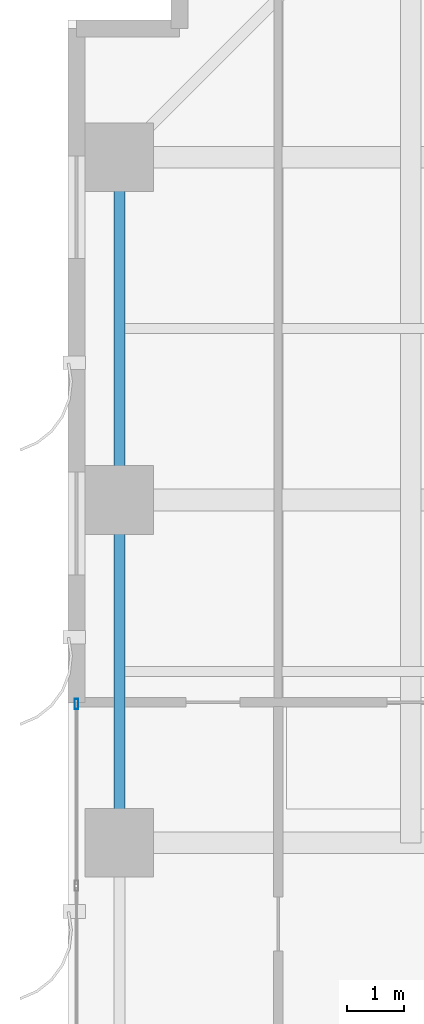
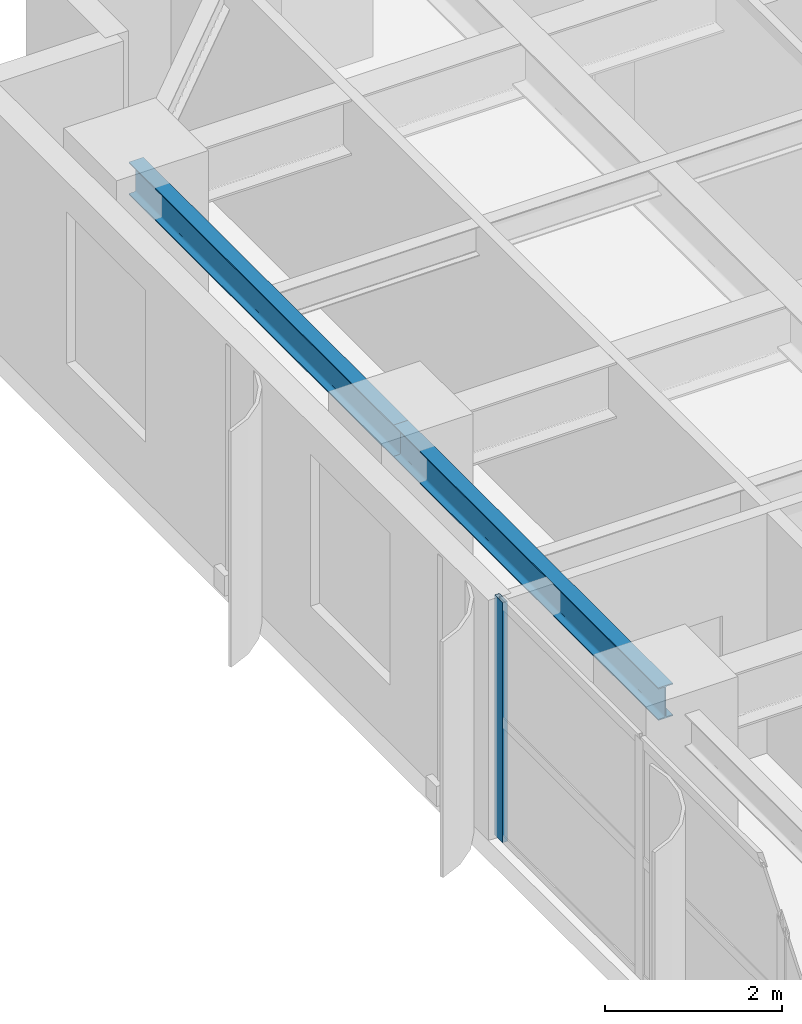
# One storey, part 9 of 23: 2 beams, 1 member, 1 element without a shape of its own.
"""IFC4 building model written with IfcOpenShell, lengths in metres."""

from ifc_helpers import new_model, si_unit, direction, frame, origin, origin_2d, place, context, subcontext, project, spatial, hollow_rectangle, i_section, extrude, source, transform, mapped, material, layer, layer_set, material_profile, profile_set, type_object, element, aggregate, save


model = new_model("IFC4")

# Units and contexts
model_context = context("Model", 3, precision=1e-05, world=origin(), true_north=direction((0.0, 1.0)))
body_context = subcontext(model_context, "Body", "Model", "MODEL_VIEW")
ifc_project = project(units=[si_unit("LENGTHUNIT", "METRE"), si_unit("AREAUNIT", "SQUARE_METRE"), si_unit("VOLUMEUNIT", "CUBIC_METRE"), si_unit("PLANEANGLEUNIT", "RADIAN"), si_unit("MASSUNIT", "GRAM", prefix="KILO")], contexts=[model_context])

# Site, building, storey
site_placement = place(None, origin())
site = spatial("IfcSite", under=ifc_project, at=site_placement, CompositionType="ELEMENT")
building_placement = place(site_placement, origin())
building = spatial("IfcBuilding", under=site, at=building_placement, Name="Khoralis Quay Care Tower", CompositionType="ELEMENT")
storey_placement = place(building_placement, frame((0.0, 0.0, 33.300048828125)))
storey = spatial("IfcBuildingStorey", under=building, at=storey_placement, Name="L08", CompositionType="ELEMENT", Elevation=33.300048828125)

# Beams
ifc_material_1 = material(Name="Steel S355", Category="steel")
ifc_material_profile_1 = material_profile(ifc_material_1, i_section(OverallWidth=0.18994140625, OverallDepth=0.449951171875, WebThickness=0.009521484375, FlangeThickness=0.0146484375, FilletRadius=0.02099609375, at=origin_2d()), Name="Steel S355")
ifc_profile_set_1 = profile_set([ifc_material_profile_1], Name="Steel S355")
beam_type = type_object("IfcBeamType", Name="BM-IPE450", PredefinedType="SPANDREL", material=ifc_profile_set_1)
shared_shape_1 = source(origin(), body_context, "Body", "SweptSolid", [
    extrude(i_section(OverallWidth=0.18994140625, OverallDepth=0.449951171875, WebThickness=0.009521484375, FlangeThickness=0.0146484375, FilletRadius=0.02099609375, at=origin_2d()), origin(), (0.0, 0.0, 1.0), 6.0),
])
for number, where, z_axis, x_axis, name in (
    (1, (0.89990234375, 30.0, 3.094970703125), (0.0, 1.0, 0.0), (-1.0, 0.0, 0.0), "BM-TSP-L08-17"),
    (2, (0.89990234375, 36.0, 3.094970703125), (0.0, 1.0, 0.0), (-1.0, 0.0, 0.0), "BM-TSP-L08-18"),
):
    element("IfcBeam", number, at=place(storey_placement, frame(where, z_axis=z_axis, x_axis=x_axis)), inside=storey, type_object=beam_type, Name=name, PredefinedType="SPANDREL", context=body_context, shape_type="MappedRepresentation", body=[
        mapped(shared_shape_1, transform((0.0, 0.0, 0.0), scale=1.0)),
    ])

# Curtain wall, member
ifc_material_2 = material(Name="Pale anodised aluminium", Category="aluminium")
ifc_layer = layer(ifc_material_2, 0.179931640625)
ifc_layer_set = layer_set([ifc_layer], Name="Pale anodised aluminium")
curtain_wall_type = type_object("IfcCurtainWallType", Name="CW-SYS-Z1", PredefinedType="NOTDEFINED", material=ifc_layer_set)
curtain_wall_placement = place(storey_placement, origin())
curtain_wall = element("IfcCurtainWall", 3, at=curtain_wall_placement, inside=storey, type_object=curtain_wall_type, Name="L08 Unitised Curtain Wall CW-L08-P1-E15", PredefinedType="NOTDEFINED")
ifc_material_profile_2 = material_profile(ifc_material_2, hollow_rectangle(XDim=0.06494140625, YDim=0.179931640625, WallThickness=0.00390625, at=origin_2d()), Name="Pale anodised aluminium")
ifc_profile_set_2 = profile_set([ifc_material_profile_2], Name="Pale anodised aluminium")
member_type = type_object("IfcMemberType", Name="CW-MUL-180", PredefinedType="MULLION", material=ifc_profile_set_2)
shared_shape_2 = source(origin(), body_context, "Body", "SweptSolid", [
    extrude(hollow_rectangle(XDim=0.06494140625, YDim=0.179931640625, WallThickness=0.00390625, at=origin_2d()), origin(), (0.0, 0.0, 1.0), 3.320068359375),
])
member_placement = place(storey_placement, frame((0.14990234375, 32.429931640625, 0.0), z_axis=(0.0, 0.0, 1.0), x_axis=(1.0, 0.0, 0.0)))
member = element("IfcMember", 4, at=member_placement, type_object=member_type, Name="CW1 mullion 1", PredefinedType="MULLION", context=body_context, shape_type="MappedRepresentation", body=[
    mapped(shared_shape_2, transform((0.0, 0.0, 0.0), scale=1.0)),
])
aggregate(curtain_wall, [member])

save(model, "model.ifc")
